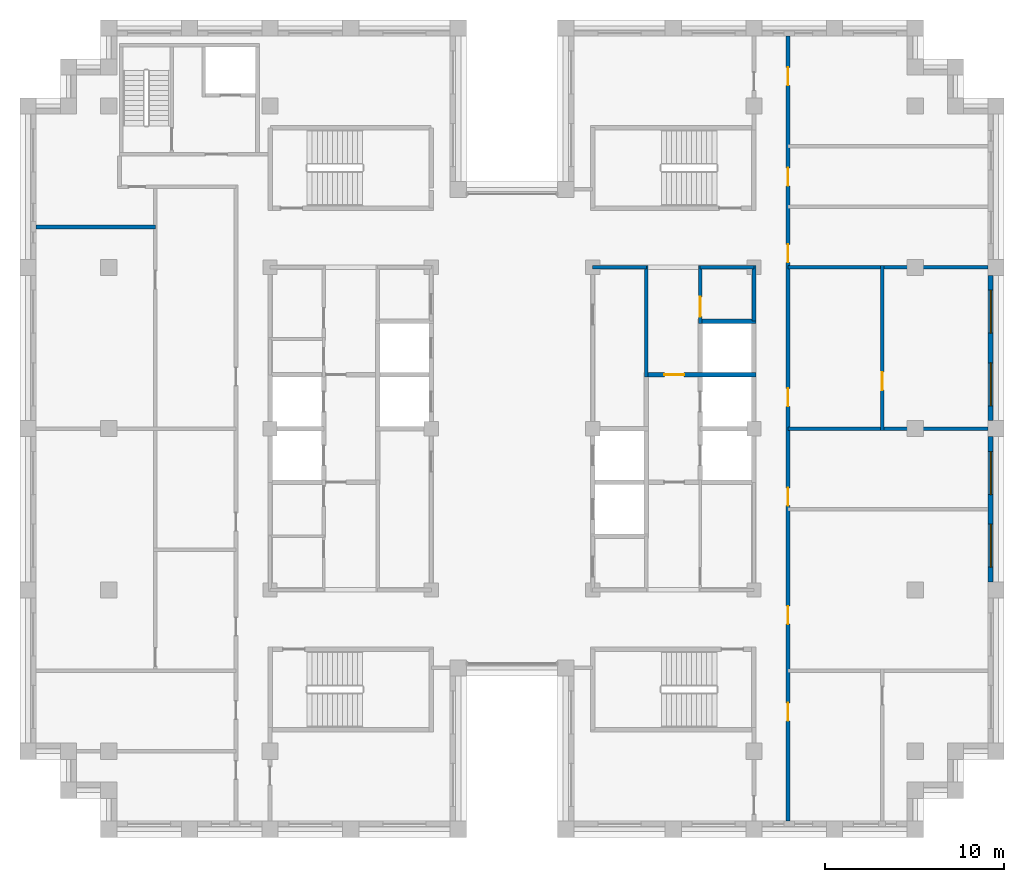
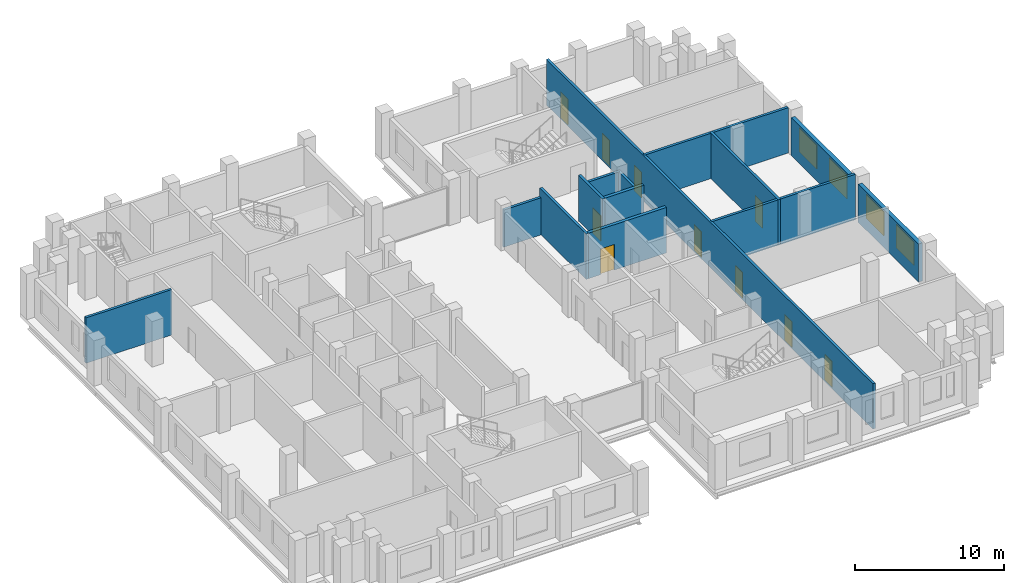
# One storey, part 9 of 13: 14 walls, 10 doors, 4 windows, 14 openings.
"""IFC4 building model written with IfcOpenShell, lengths in metres."""

from ifc_helpers import new_model, si_unit, direction, frame, frame_2d, origin, place, context, subcontext, project, spatial, rectangle, extrude, material, layer, layer_set, type_object, element, fill, save


model = new_model("IFC4")

# Units and contexts
model_context = context("Model", 3, precision=1e-05, world=origin(), true_north=direction((0.0, 1.0)))
body_context = subcontext(model_context, "Body", "Model", "MODEL_VIEW")
ifc_project = project(units=[si_unit("LENGTHUNIT", "METRE"), si_unit("AREAUNIT", "SQUARE_METRE"), si_unit("VOLUMEUNIT", "CUBIC_METRE"), si_unit("PLANEANGLEUNIT", "RADIAN"), si_unit("MASSUNIT", "GRAM", prefix="KILO")], contexts=[model_context])

# Site, building, storey
site_placement = place(None, origin())
site = spatial("IfcSite", under=ifc_project, at=site_placement, CompositionType="ELEMENT")
building_placement = place(site_placement, origin())
building = spatial("IfcBuilding", under=site, at=building_placement, Name="Corbelhall Arena Tower", CompositionType="ELEMENT")
storey_placement = place(building_placement, frame((0.0, 0.0, 262.0)))
storey = spatial("IfcBuildingStorey", under=building, at=storey_placement, Name="L56", CompositionType="ELEMENT", Elevation=262.0)

# Wall, openings, windows
ifc_material_1 = material(Name="Precast concrete C40/50 with granite facing", Category="masonry")
ifc_layer_1 = layer(ifc_material_1, 0.300048828125)
ifc_layer_set_1 = layer_set([ifc_layer_1], Name="EV-IW1 Infill panel 300")
wall_type_1 = type_object("IfcWallType", Name="EV-IW1 Infill panel 300", PredefinedType="SOLIDWALL", material=ifc_layer_set_1)
wall_1_placement = place(storey_placement, frame((26.699951171875, -8.550048828125, 0.0), z_axis=(0.0, 0.0, 1.0), x_axis=(0.0, 1.0, 0.0)))
wall_1 = element("IfcWall", 1, at=wall_1_placement, inside=storey, type_object=wall_type_1, Name="Infill panel IW1", PredefinedType="SOLIDWALL", context=body_context, shape_type="SweptSolid", body=[
    extrude(rectangle(XDim=8.10009765625, YDim=0.300048828125, at=frame_2d((4.050048828125, 0.0))), origin(), (0.0, 0.0, 1.0), 3.1201171875),
])
opening_1_placement = place(wall_1_placement, frame((0.824951171875, 0.0, 0.800048828125)))
opening_1 = element("IfcOpeningElement", 2, at=opening_1_placement, cuts=wall_1, Name="Opening WN1", PredefinedType="OPENING", context=body_context, shape_type="SweptSolid", body=[
    extrude(rectangle(XDim=2.39990234375, YDim=1.949951171875, at=frame_2d((1.199951171875, 0.97509765625))), frame((0.0, 0.14990234375, 0.0), z_axis=(0.0, -1.0, 0.0), x_axis=(1.0, 0.0, 0.0)), (0.0, 0.0, 1.0), 0.300048828125),
])
opening_2_placement = place(wall_1_placement, frame((4.875, 0.0, 0.800048828125)))
opening_2 = element("IfcOpeningElement", 3, at=opening_2_placement, cuts=wall_1, Name="Opening WN1", PredefinedType="OPENING", context=body_context, shape_type="SweptSolid", body=[
    extrude(rectangle(XDim=2.39990234375, YDim=1.949951171875, at=frame_2d((1.199951171875, 0.97509765625))), frame((0.0, 0.14990234375, 0.0), z_axis=(0.0, -1.0, 0.0), x_axis=(1.0, 0.0, 0.0)), (0.0, 0.0, 1.0), 0.300048828125),
])
ifc_material_2 = material(Name="Aluminium black anodised", Category="aluminium")
window_type = type_object("IfcWindowType", Name="EV-WN1 Office window", PartitioningType="SINGLE_PANEL", PredefinedType="WINDOW", material=ifc_material_2)
window_1_placement = place(opening_1_placement, origin())
window_1 = element("IfcWindow", 4, at=window_1_placement, inside=storey, type_object=window_type, Name="Window WN1", OverallHeight=1.949951171875, OverallWidth=2.39990234375, PartitioningType="SINGLE_PANEL", PredefinedType="WINDOW", context=body_context, shape_type="SweptSolid", body=[
    extrude(rectangle(XDim=2.39990234375, YDim=1.949951171875, at=frame_2d((1.199951171875, 0.97509765625))), frame((0.0, 0.030029296875, 0.0), z_axis=(0.0, -1.0, 0.0), x_axis=(1.0, 0.0, 0.0)), (0.0, 0.0, 1.0), 0.06005859375),
])
fill(opening_1, window_1)
window_2_placement = place(opening_2_placement, origin())
window_2 = element("IfcWindow", 5, at=window_2_placement, inside=storey, type_object=window_type, Name="Window WN1", OverallHeight=1.949951171875, OverallWidth=2.39990234375, PartitioningType="SINGLE_PANEL", PredefinedType="WINDOW", context=body_context, shape_type="SweptSolid", body=[
    extrude(rectangle(XDim=2.39990234375, YDim=1.949951171875, at=frame_2d((1.199951171875, 0.97509765625))), frame((0.0, 0.030029296875, 0.0), z_axis=(0.0, -1.0, 0.0), x_axis=(1.0, 0.0, 0.0)), (0.0, 0.0, 1.0), 0.06005859375),
])
fill(opening_2, window_2)

wall_2_placement = place(storey_placement, frame((26.699951171875, 0.449951171875, 0.0), z_axis=(0.0, 0.0, 1.0), x_axis=(0.0, 1.0, 0.0)))
wall_2 = element("IfcWall", 6, at=wall_2_placement, inside=storey, type_object=wall_type_1, Name="Infill panel IW1", PredefinedType="SOLIDWALL", context=body_context, shape_type="SweptSolid", body=[
    extrude(rectangle(XDim=8.10009765625, YDim=0.300048828125, at=frame_2d((4.050048828125, 0.0))), origin(), (0.0, 0.0, 1.0), 3.1201171875),
])
opening_3_placement = place(wall_2_placement, frame((0.824951171875, 0.0, 0.800048828125)))
opening_3 = element("IfcOpeningElement", 7, at=opening_3_placement, cuts=wall_2, Name="Opening WN1", PredefinedType="OPENING", context=body_context, shape_type="SweptSolid", body=[
    extrude(rectangle(XDim=2.39990234375, YDim=1.949951171875, at=frame_2d((1.199951171875, 0.97509765625))), frame((0.0, 0.14990234375, 0.0), z_axis=(0.0, -1.0, 0.0), x_axis=(1.0, 0.0, 0.0)), (0.0, 0.0, 1.0), 0.300048828125),
])
opening_4_placement = place(wall_2_placement, frame((4.875, 0.0, 0.800048828125)))
opening_4 = element("IfcOpeningElement", 8, at=opening_4_placement, cuts=wall_2, Name="Opening WN1", PredefinedType="OPENING", context=body_context, shape_type="SweptSolid", body=[
    extrude(rectangle(XDim=2.39990234375, YDim=1.949951171875, at=frame_2d((1.199951171875, 0.97509765625))), frame((0.0, 0.14990234375, 0.0), z_axis=(0.0, -1.0, 0.0), x_axis=(1.0, 0.0, 0.0)), (0.0, 0.0, 1.0), 0.300048828125),
])
window_3_placement = place(opening_3_placement, origin())
window_3 = element("IfcWindow", 9, at=window_3_placement, inside=storey, type_object=window_type, Name="Window WN1", OverallHeight=1.949951171875, OverallWidth=2.39990234375, PartitioningType="SINGLE_PANEL", PredefinedType="WINDOW", context=body_context, shape_type="SweptSolid", body=[
    extrude(rectangle(XDim=2.39990234375, YDim=1.949951171875, at=frame_2d((1.199951171875, 0.97509765625))), frame((0.0, 0.030029296875, 0.0), z_axis=(0.0, -1.0, 0.0), x_axis=(1.0, 0.0, 0.0)), (0.0, 0.0, 1.0), 0.06005859375),
])
fill(opening_3, window_3)
window_4_placement = place(opening_4_placement, origin())
window_4 = element("IfcWindow", 10, at=window_4_placement, inside=storey, type_object=window_type, Name="Window WN1", OverallHeight=1.949951171875, OverallWidth=2.39990234375, PartitioningType="SINGLE_PANEL", PredefinedType="WINDOW", context=body_context, shape_type="SweptSolid", body=[
    extrude(rectangle(XDim=2.39990234375, YDim=1.949951171875, at=frame_2d((1.199951171875, 0.97509765625))), frame((0.0, 0.030029296875, 0.0), z_axis=(0.0, -1.0, 0.0), x_axis=(1.0, 0.0, 0.0)), (0.0, 0.0, 1.0), 0.06005859375),
])
fill(opening_4, window_4)

# Wall
ifc_material_3 = material(Name="Gypsum board on steel stud, acoustic", Category="steel")
ifc_layer_2 = layer(ifc_material_3, 0.199951171875)
ifc_layer_set_2 = layer_set([ifc_layer_2], Name="IN-W-DM200")
wall_type_2 = type_object("IfcWallType", Name="IN-W-DM200", PredefinedType="PARTITIONING", material=ifc_layer_set_2)
wall_3_placement = place(storey_placement, frame((-26.550048828125, 11.25, 0.0), z_axis=(0.0, 0.0, 1.0), x_axis=(1.0, 0.0, 0.0)))
element("IfcWall", 11, at=wall_3_placement, inside=storey, type_object=wall_type_2, Name="Partition 002", PredefinedType="PARTITIONING", context=body_context, shape_type="SweptSolid", body=[
    extrude(rectangle(XDim=6.650146484375, YDim=0.199951171875, at=frame_2d((3.3251953125, 0.0))), origin(), (0.0, 0.0, 1.0), 3.719970703125),
])

# Wall, openings, doors
wall_4_placement = place(storey_placement, frame((15.39990234375, 21.89990234375, 0.0), z_axis=(0.0, 0.0, 1.0), x_axis=(0.0, -1.0, 0.0)))
wall_4 = element("IfcWall", 12, at=wall_4_placement, inside=storey, type_object=wall_type_2, Name="Partition 017", PredefinedType="PARTITIONING", context=body_context, shape_type="SweptSolid", body=[
    extrude(rectangle(XDim=43.7998046875, YDim=0.199951171875, at=frame_2d((21.89990234375, 0.0))), origin(), (0.0, 0.0, 1.0), 3.719970703125),
])
opening_5_placement = place(wall_4_placement, frame((19.64990234375, 0.0, 0.0)))
opening_5 = element("IfcOpeningElement", 13, at=opening_5_placement, cuts=wall_4, Name="Opening 17029", PredefinedType="OPENING", context=body_context, shape_type="SweptSolid", body=[
    extrude(rectangle(XDim=1.0, YDim=2.10009765625, at=frame_2d((0.5, 1.050048828125))), frame((0.0, 0.10009765625, 0.0), z_axis=(0.0, -1.0, 0.0), x_axis=(1.0, 0.0, 0.0)), (0.0, 0.0, 1.0), 0.199951171875),
])
opening_6_placement = place(wall_4_placement, frame((11.625, 0.0, 0.0)))
opening_6 = element("IfcOpeningElement", 14, at=opening_6_placement, cuts=wall_4, Name="Opening 17031", PredefinedType="OPENING", context=body_context, shape_type="SweptSolid", body=[
    extrude(rectangle(XDim=1.0, YDim=2.10009765625, at=frame_2d((0.5, 1.050048828125))), frame((0.0, 0.10009765625, 0.0), z_axis=(0.0, -1.0, 0.0), x_axis=(1.0, 0.0, 0.0)), (0.0, 0.0, 1.0), 0.199951171875),
])
opening_7_placement = place(wall_4_placement, frame((7.35009765625, 0.0, 0.0)))
opening_7 = element("IfcOpeningElement", 15, at=opening_7_placement, cuts=wall_4, Name="Opening 17032", PredefinedType="OPENING", context=body_context, shape_type="SweptSolid", body=[
    extrude(rectangle(XDim=1.0, YDim=2.10009765625, at=frame_2d((0.5, 1.050048828125))), frame((0.0, 0.10009765625, 0.0), z_axis=(0.0, -1.0, 0.0), x_axis=(1.0, 0.0, 0.0)), (0.0, 0.0, 1.0), 0.199951171875),
])
opening_8_placement = place(wall_4_placement, frame((1.75, 0.0, 0.0)))
opening_8 = element("IfcOpeningElement", 16, at=opening_8_placement, cuts=wall_4, Name="Opening 17033", PredefinedType="OPENING", context=body_context, shape_type="SweptSolid", body=[
    extrude(rectangle(XDim=1.0, YDim=2.10009765625, at=frame_2d((0.5, 1.050048828125))), frame((0.0, 0.10009765625, 0.0), z_axis=(0.0, -1.0, 0.0), x_axis=(1.0, 0.0, 0.0)), (0.0, 0.0, 1.0), 0.199951171875),
])
opening_9_placement = place(wall_4_placement, frame((37.199951171875, 0.0, 0.0)))
opening_9 = element("IfcOpeningElement", 17, at=opening_9_placement, cuts=wall_4, Name="Opening 17034", PredefinedType="OPENING", context=body_context, shape_type="SweptSolid", body=[
    extrude(rectangle(XDim=1.0, YDim=2.10009765625, at=frame_2d((0.5, 1.050048828125))), frame((0.0, 0.10009765625, 0.0), z_axis=(0.0, -1.0, 0.0), x_axis=(1.0, 0.0, 0.0)), (0.0, 0.0, 1.0), 0.199951171875),
])
opening_10_placement = place(wall_4_placement, frame((31.800048828125, 0.0, 0.0)))
opening_10 = element("IfcOpeningElement", 18, at=opening_10_placement, cuts=wall_4, Name="Opening 17036", PredefinedType="OPENING", context=body_context, shape_type="SweptSolid", body=[
    extrude(rectangle(XDim=1.0, YDim=2.10009765625, at=frame_2d((0.5, 1.050048828125))), frame((0.0, 0.10009765625, 0.0), z_axis=(0.0, -1.0, 0.0), x_axis=(1.0, 0.0, 0.0)), (0.0, 0.0, 1.0), 0.199951171875),
])
opening_11_placement = place(wall_4_placement, frame((25.199951171875, 0.0, 0.0)))
opening_11 = element("IfcOpeningElement", 19, at=opening_11_placement, cuts=wall_4, Name="Opening 17037", PredefinedType="OPENING", context=body_context, shape_type="SweptSolid", body=[
    extrude(rectangle(XDim=1.0, YDim=2.10009765625, at=frame_2d((0.5, 1.050048828125))), frame((0.0, 0.10009765625, 0.0), z_axis=(0.0, -1.0, 0.0), x_axis=(1.0, 0.0, 0.0)), (0.0, 0.0, 1.0), 0.199951171875),
])
ifc_material_4 = material(Name="Steel door set", Category="steel")
door_type_1 = type_object("IfcDoorType", Name="IN-D-SW100", OperationType="NOTDEFINED", PredefinedType="DOOR", material=ifc_material_4)
door_1_placement = place(opening_5_placement, origin())
door_1 = element("IfcDoor", 20, at=door_1_placement, inside=storey, type_object=door_type_1, Name="Door 029", OperationType="SINGLE_SWING_RIGHT", OverallHeight=2.10009765625, OverallWidth=1.0, PredefinedType="DOOR", context=body_context, shape_type="SweptSolid", body=[
    extrude(rectangle(XDim=1.0, YDim=2.10009765625, at=frame_2d((0.5, 1.050048828125))), frame((0.0, 0.02490234375, 0.0), z_axis=(0.0, -1.0, 0.0), x_axis=(1.0, 0.0, 0.0)), (0.0, 0.0, 1.0), 0.050048828125),
])
fill(opening_5, door_1)
door_2_placement = place(opening_6_placement, origin())
door_2 = element("IfcDoor", 21, at=door_2_placement, inside=storey, type_object=door_type_1, Name="Door 031", OperationType="SINGLE_SWING_RIGHT", OverallHeight=2.10009765625, OverallWidth=1.0, PredefinedType="DOOR", context=body_context, shape_type="SweptSolid", body=[
    extrude(rectangle(XDim=1.0, YDim=2.10009765625, at=frame_2d((0.5, 1.050048828125))), frame((0.0, 0.02490234375, 0.0), z_axis=(0.0, -1.0, 0.0), x_axis=(1.0, 0.0, 0.0)), (0.0, 0.0, 1.0), 0.050048828125),
])
fill(opening_6, door_2)
door_3_placement = place(opening_7_placement, origin())
door_3 = element("IfcDoor", 22, at=door_3_placement, inside=storey, type_object=door_type_1, Name="Door 032", OperationType="SINGLE_SWING_LEFT", OverallHeight=2.10009765625, OverallWidth=1.0, PredefinedType="DOOR", context=body_context, shape_type="SweptSolid", body=[
    extrude(rectangle(XDim=1.0, YDim=2.10009765625, at=frame_2d((0.5, 1.050048828125))), frame((0.0, 0.02490234375, 0.0), z_axis=(0.0, -1.0, 0.0), x_axis=(1.0, 0.0, 0.0)), (0.0, 0.0, 1.0), 0.050048828125),
])
fill(opening_7, door_3)
door_4_placement = place(opening_8_placement, origin())
door_4 = element("IfcDoor", 23, at=door_4_placement, inside=storey, type_object=door_type_1, Name="Door 033", OperationType="SINGLE_SWING_RIGHT", OverallHeight=2.10009765625, OverallWidth=1.0, PredefinedType="DOOR", context=body_context, shape_type="SweptSolid", body=[
    extrude(rectangle(XDim=1.0, YDim=2.10009765625, at=frame_2d((0.5, 1.050048828125))), frame((0.0, 0.02490234375, 0.0), z_axis=(0.0, -1.0, 0.0), x_axis=(1.0, 0.0, 0.0)), (0.0, 0.0, 1.0), 0.050048828125),
])
fill(opening_8, door_4)
door_5_placement = place(opening_9_placement, origin())
door_5 = element("IfcDoor", 24, at=door_5_placement, inside=storey, type_object=door_type_1, Name="Door 034", OperationType="SINGLE_SWING_LEFT", OverallHeight=2.10009765625, OverallWidth=1.0, PredefinedType="DOOR", context=body_context, shape_type="SweptSolid", body=[
    extrude(rectangle(XDim=1.0, YDim=2.10009765625, at=frame_2d((0.5, 1.050048828125))), frame((0.0, 0.02490234375, 0.0), z_axis=(0.0, -1.0, 0.0), x_axis=(1.0, 0.0, 0.0)), (0.0, 0.0, 1.0), 0.050048828125),
])
fill(opening_9, door_5)
door_6_placement = place(opening_10_placement, origin())
door_6 = element("IfcDoor", 25, at=door_6_placement, inside=storey, type_object=door_type_1, Name="Door 036", OperationType="SINGLE_SWING_LEFT", OverallHeight=2.10009765625, OverallWidth=1.0, PredefinedType="DOOR", context=body_context, shape_type="SweptSolid", body=[
    extrude(rectangle(XDim=1.0, YDim=2.10009765625, at=frame_2d((0.5, 1.050048828125))), frame((0.0, 0.02490234375, 0.0), z_axis=(0.0, -1.0, 0.0), x_axis=(1.0, 0.0, 0.0)), (0.0, 0.0, 1.0), 0.050048828125),
])
fill(opening_10, door_6)
door_7_placement = place(opening_11_placement, origin())
door_7 = element("IfcDoor", 26, at=door_7_placement, inside=storey, type_object=door_type_1, Name="Door 037", OperationType="SINGLE_SWING_RIGHT", OverallHeight=2.10009765625, OverallWidth=1.0, PredefinedType="DOOR", context=body_context, shape_type="SweptSolid", body=[
    extrude(rectangle(XDim=1.0, YDim=2.10009765625, at=frame_2d((0.5, 1.050048828125))), frame((0.0, 0.02490234375, 0.0), z_axis=(0.0, -1.0, 0.0), x_axis=(1.0, 0.0, 0.0)), (0.0, 0.0, 1.0), 0.050048828125),
])
fill(opening_11, door_7)

# Walls
for number, where, z_axis, x_axis, name in (
    (27, (15.39990234375, 9.0, 0.0), (0.0, 0.0, 1.0), (1.0, 0.0, 0.0), "Partition 019"),
    (28, (26.550048828125, 0.0, 0.0), (0.0, 0.0, 1.0), (-1.0, 0.0, 0.0), "Partition 023"),
):
    element("IfcWall", number, at=place(storey_placement, frame(where, z_axis=z_axis, x_axis=x_axis)), inside=storey, type_object=wall_type_2, Name=name, PredefinedType="PARTITIONING", context=body_context, shape_type="SweptSolid", body=[
        extrude(rectangle(XDim=11.150146484375, YDim=0.199951171875, at=frame_2d((5.5751953125, 0.0))), origin(), (0.0, 0.0, 1.0), 3.719970703125),
    ])

# Wall, opening, door
wall_5_placement = place(storey_placement, frame((20.64990234375, 9.10009765625, 0.0), z_axis=(0.0, 0.0, 1.0), x_axis=(0.0, -1.0, 0.0)))
wall_5 = element("IfcWall", 29, at=wall_5_placement, inside=storey, type_object=wall_type_2, Name="Partition 024", PredefinedType="PARTITIONING", context=body_context, shape_type="SweptSolid", body=[
    extrude(rectangle(XDim=9.2001953125, YDim=0.199951171875, at=frame_2d((4.60009765625, 0.0))), origin(), (0.0, 0.0, 1.0), 3.719970703125),
])
opening_12_placement = place(wall_5_placement, frame((5.949951171875, 0.0, 0.0)))
opening_12 = element("IfcOpeningElement", 30, at=opening_12_placement, cuts=wall_5, Name="Opening 17030", PredefinedType="OPENING", context=body_context, shape_type="SweptSolid", body=[
    extrude(rectangle(XDim=1.0, YDim=2.10009765625, at=frame_2d((0.5, 1.050048828125))), frame((0.0, 0.10009765625, 0.0), z_axis=(0.0, -1.0, 0.0), x_axis=(1.0, 0.0, 0.0)), (0.0, 0.0, 1.0), 0.199951171875),
])
door_8_placement = place(opening_12_placement, origin())
door_8 = element("IfcDoor", 31, at=door_8_placement, inside=storey, type_object=door_type_1, Name="Door 030", OperationType="SINGLE_SWING_LEFT", OverallHeight=2.10009765625, OverallWidth=1.0, PredefinedType="DOOR", context=body_context, shape_type="SweptSolid", body=[
    extrude(rectangle(XDim=1.0, YDim=2.10009765625, at=frame_2d((0.5, 1.050048828125))), frame((0.0, 0.02490234375, 0.0), z_axis=(0.0, -1.0, 0.0), x_axis=(1.0, 0.0, 0.0)), (0.0, 0.0, 1.0), 0.050048828125),
])
fill(opening_12, door_8)

# Wall
ifc_material_5 = material(Name="Concrete block wall", Category="concrete")
ifc_layer_3 = layer(ifc_material_5, 0.199951171875)
ifc_layer_set_3 = layer_set([ifc_layer_3], Name="IN-W-RS200")
wall_type_3 = type_object("IfcWallType", Name="IN-W-RS200", PredefinedType="SOLIDWALL", material=ifc_layer_set_3)
wall_6_placement = place(storey_placement, frame((7.5, 9.10009765625, 0.0), z_axis=(0.0, 0.0, 1.0), x_axis=(0.0, -1.0, 0.0)))
element("IfcWall", 32, at=wall_6_placement, inside=storey, type_object=wall_type_3, Name="Partition 041", PredefinedType="SOLIDWALL", context=body_context, shape_type="SweptSolid", body=[
    extrude(rectangle(XDim=6.22509765625, YDim=0.199951171875, at=frame_2d((3.112548828125, 0.0))), origin(), (0.0, 0.0, 1.0), 3.719970703125),
])

# Wall, opening, door
wall_7_placement = place(storey_placement, frame((10.5, 9.10009765625, 0.0), z_axis=(0.0, 0.0, 1.0), x_axis=(0.0, -1.0, 0.0)))
wall_7 = element("IfcWall", 33, at=wall_7_placement, inside=storey, type_object=wall_type_3, Name="Partition 043", PredefinedType="SOLIDWALL", context=body_context, shape_type="SweptSolid", body=[
    extrude(rectangle(XDim=3.22509765625, YDim=0.199951171875, at=frame_2d((1.612548828125, 0.0))), origin(), (0.0, 0.0, 1.0), 3.719970703125),
])
opening_13_placement = place(wall_7_placement, frame((1.75, 0.0, 0.0)))
opening_13 = element("IfcOpeningElement", 34, at=opening_13_placement, cuts=wall_7, Name="Opening 17014", PredefinedType="OPENING", context=body_context, shape_type="SweptSolid", body=[
    extrude(rectangle(XDim=1.10009765625, YDim=2.10009765625, at=frame_2d((0.550048828125, 1.050048828125))), frame((0.0, 0.10009765625, 0.0), z_axis=(0.0, -1.0, 0.0), x_axis=(1.0, 0.0, 0.0)), (0.0, 0.0, 1.0), 0.199951171875),
])
door_type_2 = type_object("IfcDoorType", Name="IN-D-FD110", OperationType="NOTDEFINED", PredefinedType="DOOR", material=ifc_material_4)
door_9_placement = place(opening_13_placement, origin())
door_9 = element("IfcDoor", 35, at=door_9_placement, inside=storey, type_object=door_type_2, Name="Door 014", OperationType="SINGLE_SWING_LEFT", OverallHeight=2.10009765625, OverallWidth=1.10009765625, PredefinedType="DOOR", context=body_context, shape_type="SweptSolid", body=[
    extrude(rectangle(XDim=1.10009765625, YDim=2.10009765625, at=frame_2d((0.550048828125, 1.050048828125))), frame((0.0, 0.02490234375, 0.0), z_axis=(0.0, -1.0, 0.0), x_axis=(1.0, 0.0, 0.0)), (0.0, 0.0, 1.0), 0.050048828125),
])
fill(opening_13, door_9)

# Walls
ifc_layer_4 = layer(ifc_material_5, 0.199951171875)
ifc_layer_set_4 = layer_set([ifc_layer_4], Name="IN-W-RS200 under beam 678 mm")
wall_type_4 = type_object("IfcWallType", Name="IN-W-RS200 under beam 678 mm", PredefinedType="SOLIDWALL", material=ifc_layer_set_4)
for number, where, z_axis, x_axis, name in (
    (36, (4.5, 9.0, 0.0), (0.0, 0.0, 1.0), (1.0, 0.0, 0.0), "Partition 038"),
    (37, (10.5, 9.0, 0.0), (0.0, 0.0, 1.0), (1.0, 0.0, 0.0), "Partition 042"),
):
    element("IfcWall", number, at=place(storey_placement, frame(where, z_axis=z_axis, x_axis=x_axis)), inside=storey, type_object=wall_type_4, Name=name, PredefinedType="SOLIDWALL", context=body_context, shape_type="SweptSolid", body=[
        extrude(rectangle(XDim=3.0, YDim=0.199951171875, at=frame_2d((1.5, 0.0))), origin(), (0.0, 0.0, 1.0), 3.041748046875),
    ])
wall_8_placement = place(storey_placement, frame((13.5, 9.10009765625, 0.0), z_axis=(0.0, 0.0, 1.0), x_axis=(0.0, -1.0, 0.0)))
element("IfcWall", 38, at=wall_8_placement, inside=storey, type_object=wall_type_4, Name="Partition 044", PredefinedType="SOLIDWALL", context=body_context, shape_type="SweptSolid", body=[
    extrude(rectangle(XDim=3.10009765625, YDim=0.199951171875, at=frame_2d((1.550048828125, 0.0))), origin(), (0.0, 0.0, 1.0), 3.041748046875),
])

# Wall, opening, door
ifc_material_6 = material(Name="Concrete C40/50", Category="concrete")
ifc_layer_5 = layer(ifc_material_6, 0.25)
ifc_layer_set_5 = layer_set([ifc_layer_5], Name="IN-W-SH250")
wall_type_5 = type_object("IfcWallType", Name="IN-W-SH250", PredefinedType="SOLIDWALL", material=ifc_layer_set_5)
wall_9_placement = place(storey_placement, frame((7.5, 3.0, 0.0), z_axis=(0.0, 0.0, 1.0), x_axis=(1.0, 0.0, 0.0)))
wall_9 = element("IfcWall", 39, at=wall_9_placement, inside=storey, type_object=wall_type_5, Name="Shaft wall 059", PredefinedType="SOLIDWALL", context=body_context, shape_type="SweptSolid", body=[
    extrude(rectangle(XDim=6.125, YDim=0.25, at=frame_2d((3.0625, 0.0))), origin(), (0.0, 0.0, 1.0), 3.719970703125),
])
opening_14_placement = place(wall_9_placement, frame((1.0, 0.0, 0.0)))
opening_14 = element("IfcOpeningElement", 40, at=opening_14_placement, cuts=wall_9, Name="Opening 17012", PredefinedType="OPENING", context=body_context, shape_type="SweptSolid", body=[
    extrude(rectangle(XDim=1.10009765625, YDim=2.10009765625, at=frame_2d((0.550048828125, 1.050048828125))), frame((0.0, 0.125, 0.0), z_axis=(0.0, -1.0, 0.0), x_axis=(1.0, 0.0, 0.0)), (0.0, 0.0, 1.0), 0.25),
])
door_10_placement = place(opening_14_placement, origin())
door_10 = element("IfcDoor", 41, at=door_10_placement, inside=storey, type_object=door_type_2, Name="Door 012", OperationType="SINGLE_SWING_LEFT", OverallHeight=2.10009765625, OverallWidth=1.10009765625, PredefinedType="DOOR", context=body_context, shape_type="SweptSolid", body=[
    extrude(rectangle(XDim=1.10009765625, YDim=2.10009765625, at=frame_2d((0.550048828125, 1.050048828125))), frame((0.0, 0.02490234375, 0.0), z_axis=(0.0, -1.0, 0.0), x_axis=(1.0, 0.0, 0.0)), (0.0, 0.0, 1.0), 0.050048828125),
])
fill(opening_14, door_10)

# Wall
wall_10_placement = place(storey_placement, frame((10.5, 6.0, 0.0), z_axis=(0.0, 0.0, 1.0), x_axis=(1.0, 0.0, 0.0)))
element("IfcWall", 42, at=wall_10_placement, inside=storey, type_object=wall_type_5, Name="Shaft wall 062", PredefinedType="SOLIDWALL", context=body_context, shape_type="SweptSolid", body=[
    extrude(rectangle(XDim=3.125, YDim=0.25, at=frame_2d((1.5625, 0.0))), origin(), (0.0, 0.0, 1.0), 3.719970703125),
])

save(model, "model.ifc")
